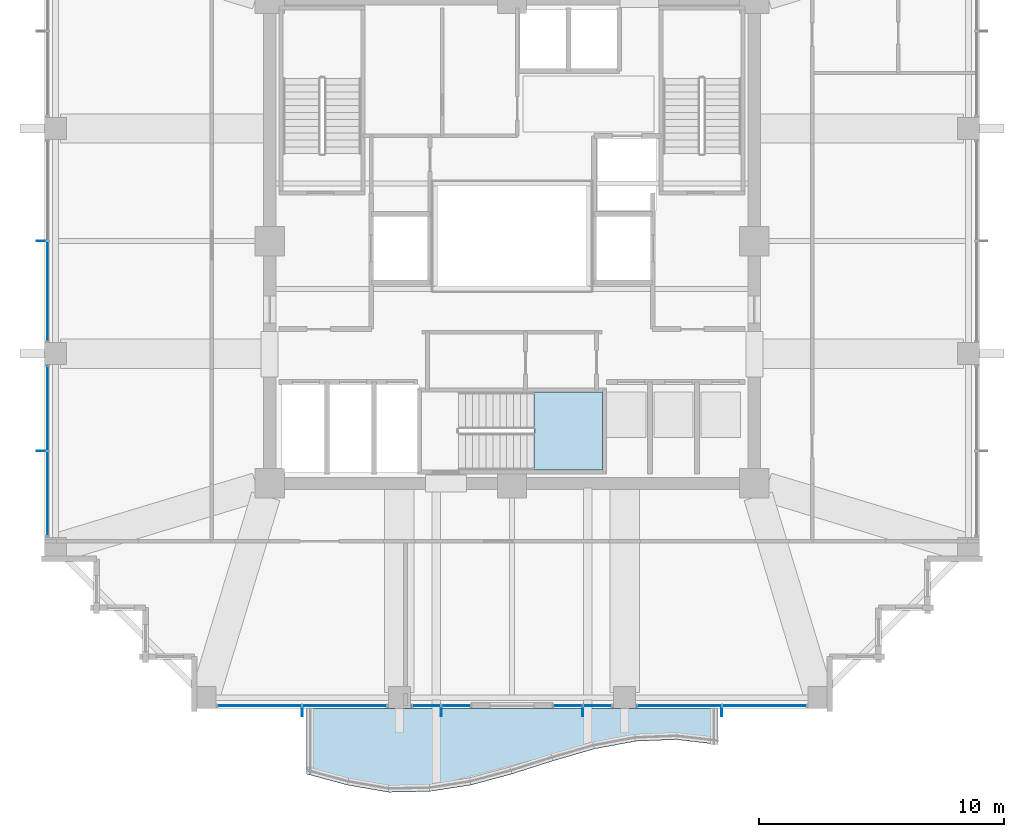
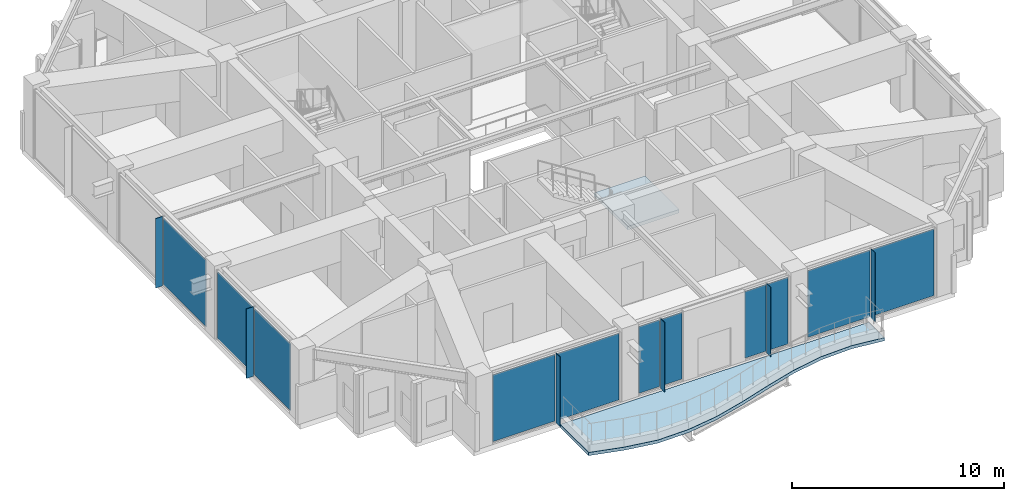
# One storey, part 21 of 33: 17 plates, 2 slabs, 7 elements without a shape of their own.
"""IFC4 building model written with IfcOpenShell, lengths in metres."""

from ifc_helpers import new_model, si_unit, direction, frame, origin, origin_2d, place, context, subcontext, project, spatial, polyline, rectangle, outline, extrude, material, layer, layer_set, type_object, element, aggregate, save


model = new_model("IFC4")

# Units and contexts
model_context = context("Model", 3, precision=1e-05, world=origin(), true_north=direction((0.0, 1.0)))
body_context = subcontext(model_context, "Body", "Model", "MODEL_VIEW")
ifc_project = project(units=[si_unit("LENGTHUNIT", "METRE"), si_unit("AREAUNIT", "SQUARE_METRE"), si_unit("VOLUMEUNIT", "CUBIC_METRE"), si_unit("PLANEANGLEUNIT", "RADIAN"), si_unit("MASSUNIT", "GRAM", prefix="KILO")], contexts=[model_context])

# Site, building, storey
site_placement = place(None, origin())
site = spatial("IfcSite", under=ifc_project, at=site_placement, CompositionType="ELEMENT")
building_placement = place(site_placement, origin())
building = spatial("IfcBuilding", under=site, at=building_placement, Name="Kolvaren Belvedere", CompositionType="ELEMENT")
storey_placement = place(building_placement, frame((0.0, 0.0, 152.699951171875)))
storey = spatial("IfcBuildingStorey", under=building, at=storey_placement, Name="L44", CompositionType="ELEMENT", Elevation=152.699951171875)

# Curtain wall, plates
ifc_material_1 = material(Name="Anodised pale-metal aluminium AA 6063-T6", Category="aluminium")
curtain_wall_type = type_object("IfcCurtainWallType", Name="CW-Z3-WAIST", PredefinedType="NOTDEFINED", material=ifc_material_1)
curtain_wall_1_placement = place(storey_placement, origin())
curtain_wall_1 = element("IfcCurtainWall", 1, at=curtain_wall_1_placement, inside=storey, type_object=curtain_wall_type, Name="L44 Unitised Curtain Wall FCW-L44-S1-B1", PredefinedType="NOTDEFINED")
ifc_material_2 = material(Name="Low-iron triple insulated glass", Category="glass")
ifc_layer_1 = layer(ifc_material_2, 0.028076171875)
ifc_layer_set_1 = layer_set([ifc_layer_1], Name="Low-iron triple insulated glass")
plate_type_1 = type_object("IfcPlateType", Name="CW-PNL-VIS28", PredefinedType="CURTAIN_PANEL", material=ifc_layer_set_1)
plate_1_placement = place(storey_placement, frame((10.311279296875, -18.97998046875, 0.080078125), z_axis=(0.0, 0.0, 1.0), x_axis=(-1.0, 0.0, 0.0)))
plate_1 = element("IfcPlate", 2, at=plate_1_placement, type_object=plate_type_1, Name="FCW-L44-S1-B1 Vision Glazing Panel 1", PredefinedType="CURTAIN_PANEL", context=body_context, shape_type="SweptSolid", body=[
    extrude(rectangle(XDim=3.392578125, YDim=0.028076171875, at=origin_2d()), origin(), (0.0, 0.0, 1.0), 3.840087890625),
])
plate_2_placement = place(storey_placement, frame((6.8388671875, -18.97998046875, 0.080078125), z_axis=(0.0, 0.0, 1.0), x_axis=(-1.0, 0.0, 0.0)))
plate_2 = element("IfcPlate", 3, at=plate_2_placement, type_object=plate_type_1, Name="FCW-L44-S1-B1 Vision Glazing Panel 2", PredefinedType="CURTAIN_PANEL", context=body_context, shape_type="SweptSolid", body=[
    extrude(rectangle(XDim=3.392578125, YDim=0.028076171875, at=origin_2d()), origin(), (0.0, 0.0, 1.0), 3.840087890625),
])
aggregate(curtain_wall_1, [plate_1, plate_2])

curtain_wall_2_placement = place(storey_placement, origin())
curtain_wall_2 = element("IfcCurtainWall", 4, at=curtain_wall_2_placement, inside=storey, type_object=curtain_wall_type, Name="L44 Unitised Curtain Wall FCW-L44-S1-B2", PredefinedType="NOTDEFINED")
plate_3_placement = place(storey_placement, frame((3.4931640625, -18.97998046875, 0.080078125), z_axis=(0.0, 0.0, 1.0), x_axis=(-1.0, 0.0, 0.0)))
plate_3 = element("IfcPlate", 5, at=plate_3_placement, type_object=plate_type_1, Name="FCW-L44-S1-B2 Vision Glazing Panel 1", PredefinedType="CURTAIN_PANEL", context=body_context, shape_type="SweptSolid", body=[
    extrude(rectangle(XDim=1.12890625, YDim=0.028076171875, at=origin_2d()), origin(), (0.0, 0.0, 1.0), 3.840087890625),
])
plate_4_placement = place(storey_placement, frame((2.284423828125, -18.97998046875, 0.080078125), z_axis=(0.0, 0.0, 1.0), x_axis=(-1.0, 0.0, 0.0)))
plate_4 = element("IfcPlate", 6, at=plate_4_placement, type_object=plate_type_1, Name="FCW-L44-S1-B2 Vision Glazing Panel 2", PredefinedType="CURTAIN_PANEL", context=body_context, shape_type="SweptSolid", body=[
    extrude(rectangle(XDim=1.12890625, YDim=0.028076171875, at=origin_2d()), origin(), (0.0, 0.0, 1.0), 3.840087890625),
])
aggregate(curtain_wall_2, [plate_3, plate_4])

curtain_wall_3_placement = place(storey_placement, origin())
curtain_wall_3 = element("IfcCurtainWall", 7, at=curtain_wall_3_placement, inside=storey, type_object=curtain_wall_type, Name="L44 Unitised Curtain Wall FCW-L44-S2-B1", PredefinedType="NOTDEFINED")
plate_5_placement = place(storey_placement, frame((-2.284423828125, -18.97998046875, 0.080078125), z_axis=(0.0, 0.0, 1.0), x_axis=(-1.0, 0.0, 0.0)))
plate_5 = element("IfcPlate", 8, at=plate_5_placement, type_object=plate_type_1, Name="FCW-L44-S2-B1 Vision Glazing Panel 1", PredefinedType="CURTAIN_PANEL", context=body_context, shape_type="SweptSolid", body=[
    extrude(rectangle(XDim=1.12890625, YDim=0.028076171875, at=origin_2d()), origin(), (0.0, 0.0, 1.0), 3.840087890625),
])
plate_6_placement = place(storey_placement, frame((-3.4931640625, -18.97998046875, 0.080078125), z_axis=(0.0, 0.0, 1.0), x_axis=(-1.0, 0.0, 0.0)))
plate_6 = element("IfcPlate", 9, at=plate_6_placement, type_object=plate_type_1, Name="FCW-L44-S2-B1 Vision Glazing Panel 2", PredefinedType="CURTAIN_PANEL", context=body_context, shape_type="SweptSolid", body=[
    extrude(rectangle(XDim=1.12890625, YDim=0.028076171875, at=origin_2d()), origin(), (0.0, 0.0, 1.0), 3.840087890625),
])
aggregate(curtain_wall_3, [plate_5, plate_6])

curtain_wall_4_placement = place(storey_placement, origin())
curtain_wall_4 = element("IfcCurtainWall", 10, at=curtain_wall_4_placement, inside=storey, type_object=curtain_wall_type, Name="L44 Unitised Curtain Wall FCW-L44-S2-B2", PredefinedType="NOTDEFINED")
plate_7_placement = place(storey_placement, frame((-6.8388671875, -18.97998046875, 0.080078125), z_axis=(0.0, 0.0, 1.0), x_axis=(-1.0, 0.0, 0.0)))
plate_7 = element("IfcPlate", 11, at=plate_7_placement, type_object=plate_type_1, Name="FCW-L44-S2-B2 Vision Glazing Panel 1", PredefinedType="CURTAIN_PANEL", context=body_context, shape_type="SweptSolid", body=[
    extrude(rectangle(XDim=3.392578125, YDim=0.028076171875, at=origin_2d()), origin(), (0.0, 0.0, 1.0), 3.840087890625),
])
plate_8_placement = place(storey_placement, frame((-10.311279296875, -18.97998046875, 0.080078125), z_axis=(0.0, 0.0, 1.0), x_axis=(-1.0, 0.0, 0.0)))
plate_8 = element("IfcPlate", 12, at=plate_8_placement, type_object=plate_type_1, Name="FCW-L44-S2-B2 Vision Glazing Panel 2", PredefinedType="CURTAIN_PANEL", context=body_context, shape_type="SweptSolid", body=[
    extrude(rectangle(XDim=3.392578125, YDim=0.028076171875, at=origin_2d()), origin(), (0.0, 0.0, 1.0), 3.840087890625),
])
aggregate(curtain_wall_4, [plate_7, plate_8])

curtain_wall_5_placement = place(storey_placement, origin())
curtain_wall_5 = element("IfcCurtainWall", 13, at=curtain_wall_5_placement, inside=storey, type_object=curtain_wall_type, Name="L44 Unitised Curtain Wall FCW-L44-W-B1", PredefinedType="NOTDEFINED")
plate_9_placement = place(storey_placement, frame((-18.97998046875, -10.311279296875, 0.080078125), z_axis=(0.0, 0.0, 1.0), x_axis=(0.0, 1.0, 0.0)))
plate_9 = element("IfcPlate", 14, at=plate_9_placement, type_object=plate_type_1, Name="FCW-L44-W-B1 Vision Glazing Panel 1", PredefinedType="CURTAIN_PANEL", context=body_context, shape_type="SweptSolid", body=[
    extrude(rectangle(XDim=3.392578125, YDim=0.028076171875, at=origin_2d()), origin(), (0.0, 0.0, 1.0), 3.840087890625),
])
plate_10_placement = place(storey_placement, frame((-18.97998046875, -6.8388671875, 0.080078125), z_axis=(0.0, 0.0, 1.0), x_axis=(0.0, 1.0, 0.0)))
plate_10 = element("IfcPlate", 15, at=plate_10_placement, type_object=plate_type_1, Name="FCW-L44-W-B1 Vision Glazing Panel 2", PredefinedType="CURTAIN_PANEL", context=body_context, shape_type="SweptSolid", body=[
    extrude(rectangle(XDim=3.392578125, YDim=0.028076171875, at=origin_2d()), origin(), (0.0, 0.0, 1.0), 3.840087890625),
])
aggregate(curtain_wall_5, [plate_9, plate_10])

# Curtain wall, plate
curtain_wall_6_placement = place(storey_placement, origin())
curtain_wall_6 = element("IfcCurtainWall", 16, at=curtain_wall_6_placement, inside=storey, type_object=curtain_wall_type, Name="L44 Unitised Curtain Wall FCW-L44-W-B2", PredefinedType="NOTDEFINED")
plate_11_placement = place(storey_placement, frame((-18.97998046875, -2.048828125, 0.080078125), z_axis=(0.0, 0.0, 1.0), x_axis=(0.0, 1.0, 0.0)))
plate_11 = element("IfcPlate", 17, at=plate_11_placement, type_object=plate_type_1, Name="FCW-L44-W-B2 Vision Glazing Panel 1", PredefinedType="CURTAIN_PANEL", context=body_context, shape_type="SweptSolid", body=[
    extrude(rectangle(XDim=4.017578125, YDim=0.028076171875, at=origin_2d()), origin(), (0.0, 0.0, 1.0), 3.840087890625),
])
aggregate(curtain_wall_6, [plate_11])

# Plates
ifc_material_3 = material(Name="Anodised pale-metal aluminium AA 6063-T6", Category="aluminium")
ifc_layer_2 = layer(ifc_material_3, 0.033935546875)
ifc_layer_set_2 = layer_set([ifc_layer_2], Name="Anodised pale-metal aluminium AA 6063-T6")
plate_type_2 = type_object("IfcPlateType", Name="FIN-VERT-380", PredefinedType="USERDEFINED", material=ifc_layer_set_2)
for number, where, z_axis, x_axis, name in (
    (18, (8.574951171875, -19.219970703125, 0.0), (0.0, 0.0, 1.0), (0.0, 1.0, 0.0), "L44 Pale-Metal Vertical Shading Fin FCW-L44-S1-B1-1"),
    (19, (2.888671875, -19.219970703125, 0.0), (0.0, 0.0, 1.0), (0.0, 1.0, 0.0), "L44 Pale-Metal Vertical Shading Fin FCW-L44-S1-B2-1"),
    (20, (-2.888671875, -19.219970703125, 0.0), (0.0, 0.0, 1.0), (0.0, 1.0, 0.0), "L44 Pale-Metal Vertical Shading Fin FCW-L44-S2-B1-1"),
    (21, (-8.574951171875, -19.219970703125, 0.0), (0.0, 0.0, 1.0), (0.0, 1.0, 0.0), "L44 Pale-Metal Vertical Shading Fin FCW-L44-S2-B2-1"),
    (22, (-19.219970703125, -8.574951171875, 0.0), (0.0, 0.0, 1.0), (1.0, 0.0, 0.0), "L44 Pale-Metal Vertical Shading Fin FCW-L44-W-B1-1"),
    (23, (-19.219970703125, 0.0, 0.0), (0.0, 0.0, 1.0), (1.0, 0.0, 0.0), "L44 Pale-Metal Vertical Shading Fin FCW-L44-W-B2-1"),
):
    element("IfcPlate", number, at=place(storey_placement, frame(where, z_axis=z_axis, x_axis=x_axis)), inside=storey, type_object=plate_type_2, Name=name, ObjectType="VERTICAL FIN", PredefinedType="USERDEFINED", context=body_context, shape_type="SweptSolid", body=[
        extrude(rectangle(XDim=0.3798828125, YDim=0.033935546875, at=origin_2d()), origin(), (0.0, 0.0, 1.0), 4.0),
    ])

# Slab
ifc_material_4 = material(Name="Concrete C50/60", Category="concrete")
ifc_layer_3 = layer(ifc_material_4, 0.179931640625)
ifc_layer_set_3 = layer_set([ifc_layer_3], Name="Concrete C50/60")
slab_type_1 = type_object("IfcSlabType", Name="SL-BAL-180", PredefinedType="FLOOR", material=ifc_layer_set_3)
slab_1_placement = place(storey_placement, frame((0.0, 0.0, -0.300048828125)))
element("IfcSlab", 24, at=slab_1_placement, inside=storey, type_object=slab_type_1, Name="L44 Planted Balcony BAL-S", PredefinedType="FLOOR", context=body_context, shape_type="SweptSolid", body=[
    extrude(outline(polyline([(-8.39990234375, -21.773681640625), (-6.719970703125, -22.227294921875), (-5.0400390625, -22.52001953125), (-3.360107421875, -22.486083984375), (-1.679931640625, -22.227294921875), (0.0, -21.773681640625), (1.679931640625, -21.237548828125), (3.360107421875, -20.751708984375), (5.0400390625, -20.435791015625), (6.719970703125, -20.368408203125), (8.39990234375, -20.56640625), (8.39990234375, -19.10009765625), (6.719970703125, -19.10009765625), (5.0400390625, -19.10009765625), (3.360107421875, -19.10009765625), (1.679931640625, -19.10009765625), (0.0, -19.10009765625), (-1.679931640625, -19.10009765625), (-3.360107421875, -19.10009765625), (-5.0400390625, -19.10009765625), (-6.719970703125, -19.10009765625), (-8.39990234375, -19.10009765625), (-8.39990234375, -21.773681640625)])), origin(), (0.0, 0.0, 1.0), 0.18017578125),
])

# Stair, slab
ifc_material_5 = material(Name="Concrete C50/60", Category="concrete")
stair_type = type_object("IfcStairType", Name="ST-CORE-1520", PredefinedType="HALF_TURN_STAIR", material=ifc_material_5)
stair_placement = place(storey_placement, origin())
stair = element("IfcStair", 25, at=stair_placement, inside=storey, type_object=stair_type, Name="L44 Protected Exit Stair ST-3", PredefinedType="HALF_TURN_STAIR")
ifc_material_6 = material(Name="Concrete C50/60", Category="concrete")
ifc_layer_4 = layer(ifc_material_6, 0.260009765625)
ifc_layer_set_4 = layer_set([ifc_layer_4], Name="Concrete C50/60")
slab_type_2 = type_object("IfcSlabType", Name="SL-LAND-260", PredefinedType="LANDING", material=ifc_layer_set_4)
slab_2_placement = place(storey_placement, frame((0.0, 0.0, 1.900146484375)))
slab_2 = element("IfcSlab", 26, at=slab_2_placement, type_object=slab_type_2, Name="ST-3 landing 1", PredefinedType="LANDING", context=body_context, shape_type="SweptSolid", body=[
    extrude(outline(polyline([(0.89990234375, -9.35009765625), (3.699951171875, -9.35009765625), (3.699951171875, -6.159912109375), (0.89990234375, -6.159912109375), (0.89990234375, -9.35009765625)])), origin(), (0.0, 0.0, 1.0), 0.199951171875),
])
aggregate(stair, [slab_2])

save(model, "model.ifc")
